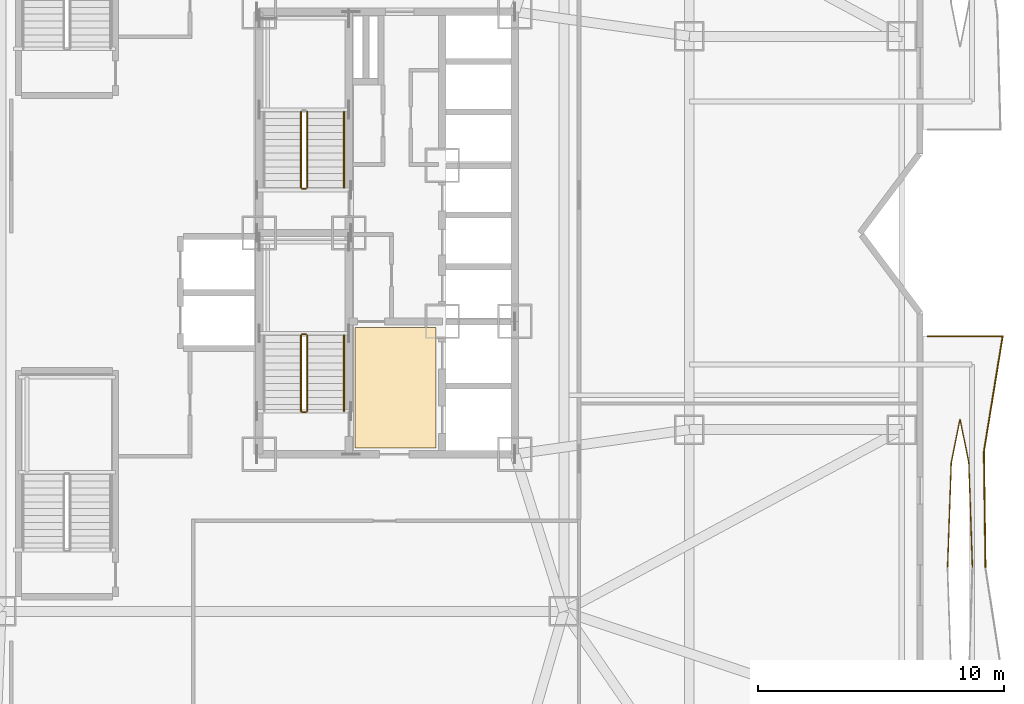
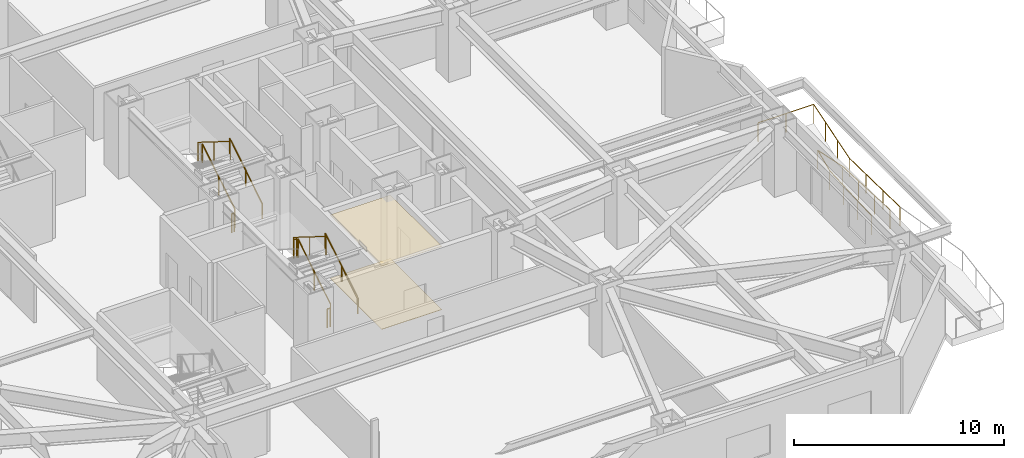
# One storey, part 22 of 25: 11 railings, 2 coverings.
"""IFC4 building model written with IfcOpenShell, lengths in metres."""

from ifc_helpers import new_model, si_unit, direction, frame, origin, origin_2d, place, context, subcontext, project, spatial, polyline, circle, outline, extrude, material, layer, layer_set, type_object, element, save


model = new_model("IFC4")

# Units and contexts
model_context = context("Model", 3, precision=1e-05, world=origin(), true_north=direction((0.0, 1.0)))
body_context = subcontext(model_context, "Body", "Model", "MODEL_VIEW")
ifc_project = project(units=[si_unit("LENGTHUNIT", "METRE"), si_unit("AREAUNIT", "SQUARE_METRE"), si_unit("VOLUMEUNIT", "CUBIC_METRE"), si_unit("PLANEANGLEUNIT", "RADIAN"), si_unit("MASSUNIT", "GRAM", prefix="KILO")], contexts=[model_context])

# Site, building, storey
site_placement = place(None, origin())
site = spatial("IfcSite", under=ifc_project, at=site_placement, CompositionType="ELEMENT")
building_placement = place(site_placement, origin())
building = spatial("IfcBuilding", under=site, at=building_placement, Name="Khamvora Tower", CompositionType="ELEMENT")
storey_placement = place(building_placement, frame((0.0, 0.0, 24.60009765625)))
storey = spatial("IfcBuildingStorey", under=building, at=storey_placement, Name="L05", CompositionType="ELEMENT", Elevation=24.60009765625)

# Coverings
ifc_material_1 = material(Name="Perforated Mineral-Fibre Acoustic Ceiling Tile", Category="gypsum")
ifc_layer_1 = layer(ifc_material_1, 0.02490234375)
ifc_layer_set_1 = layer_set([ifc_layer_1], Name="Perforated Mineral-Fibre Acoustic Ceiling Tile")
covering_type_1 = type_object("IfcCoveringType", Name="COV-CEIL-600", PredefinedType="CEILING", material=ifc_layer_set_1)
covering_1_placement = place(storey_placement, frame((0.0, 0.0, 3.669921875)))
element("IfcCovering", 1, at=covering_1_placement, inside=storey, type_object=covering_type_1, Name="L05 core lobby suspended acoustic ceiling", PredefinedType="CEILING", context=body_context, shape_type="SweptSolid", body=[
    extrude(outline(polyline([(32.89990234375, 19.25), (36.199951171875, 19.25), (36.199951171875, 24.14990234375), (32.89990234375, 24.14990234375), (32.89990234375, 19.25)])), origin(), (0.0, 0.0, 1.0), 0.02490234375),
])
ifc_material_2 = material(Name="Honed Terrazzo Stone Tile", Category="masonry")
ifc_layer_2 = layer(ifc_material_2, 0.02001953125)
ifc_layer_set_2 = layer_set([ifc_layer_2], Name="Honed Terrazzo Stone Tile")
covering_type_2 = type_object("IfcCoveringType", Name="COV-FLOR-20", PredefinedType="FLOORING", material=ifc_layer_set_2)
covering_2_placement = place(storey_placement, origin())
element("IfcCovering", 2, at=covering_2_placement, inside=storey, type_object=covering_type_2, Name="L05 lift lobby terrazzo flooring", PredefinedType="FLOORING", context=body_context, shape_type="SweptSolid", body=[
    extrude(outline(polyline([(32.89990234375, 19.25), (36.199951171875, 19.25), (36.199951171875, 24.14990234375), (32.89990234375, 24.14990234375), (32.89990234375, 19.25)])), origin(), (0.0, 0.0, 1.0), 0.02001953125),
])

# Railings
ifc_material_3 = material(Name="Stainless Steel 316 and Laminated Glass", Category="steel")
railing_type_1 = type_object("IfcRailingType", Name="RAL-GAL-1120", PredefinedType="GUARDRAIL", material=ifc_material_3)
railing_1_placement = place(storey_placement, frame((58.552001953125, 14.39990234375, 0.0)))
element("IfcRailing", 3, at=railing_1_placement, inside=storey, type_object=railing_type_1, Name="L05 lens gallery north perimeter guardrail EL1", PredefinedType="GUARDRAIL", context=body_context, shape_type="SweptSolid", body=[
    extrude(circle(Radius=0.02392578125, at=origin_2d()), frame((0.0, 0.0, 1.09619140625), z_axis=(-0.013815427675, 0.999904562425, 0.0), x_axis=(-0.999904562425, -0.013815427675, 0.0)), (0.0, 0.0, 1.0), 4.70068359375),
    extrude(circle(Radius=0.02392578125, at=origin_2d()), frame((-0.06494140625, 4.7001953125, 1.09619140625), z_axis=(0.160231839887, 0.987079407893, 0.0), x_axis=(-0.987079407893, 0.160231839887, 0.0)), (0.0, 0.0, 1.0), 4.761474609375),
    extrude(circle(Radius=0.02392578125, at=origin_2d()), frame((0.697998046875, 9.400146484375, 1.09619140625), z_axis=(-1.0, 0.0, 0.0), x_axis=(0.0, -1.0, 0.0)), (0.0, 0.0, 1.0), 3.050048828125),
    extrude(circle(Radius=0.02099609375, at=origin_2d()), origin(), (0.0, 0.0, 1.0), 1.072021484375),
    extrude(circle(Radius=0.02099609375, at=origin_2d()), frame((-0.021728515625, 1.566650390625, 0.0)), (0.0, 0.0, 1.0), 1.072021484375),
    extrude(circle(Radius=0.02099609375, at=origin_2d()), frame((-0.043212890625, 3.133544921875, 0.0)), (0.0, 0.0, 1.0), 1.072021484375),
    extrude(circle(Radius=0.02099609375, at=origin_2d()), frame((-0.06494140625, 4.7001953125, 0.0)), (0.0, 0.0, 1.0), 1.072021484375),
    extrude(circle(Radius=0.02099609375, at=origin_2d()), frame((0.189453125, 6.266845703125, 0.0)), (0.0, 0.0, 1.0), 1.072021484375),
    extrude(circle(Radius=0.02099609375, at=origin_2d()), frame((0.443603515625, 7.83349609375, 0.0)), (0.0, 0.0, 1.0), 1.072021484375),
    extrude(circle(Radius=0.02099609375, at=origin_2d()), frame((0.697998046875, 9.400146484375, 0.0)), (0.0, 0.0, 1.0), 1.072021484375),
    extrude(circle(Radius=0.02099609375, at=origin_2d()), frame((-0.8271484375, 9.400146484375, 0.0)), (0.0, 0.0, 1.0), 1.072021484375),
    extrude(circle(Radius=0.02099609375, at=origin_2d()), frame((-2.35205078125, 9.400146484375, 0.0)), (0.0, 0.0, 1.0), 1.072021484375),
])
railing_2_placement = place(storey_placement, frame((58.01904296875, 14.39990234375, 0.0)))
element("IfcRailing", 4, at=railing_2_placement, inside=storey, type_object=railing_type_1, Name="L05 lens gallery void guardrail EL1A", PredefinedType="GUARDRAIL", context=body_context, shape_type="SweptSolid", body=[
    extrude(circle(Radius=0.02392578125, at=origin_2d()), frame((0.0, 0.0, 1.09619140625), z_axis=(-0.034756605959, 0.999395806646, 0.0), x_axis=(-0.999395806646, -0.034756605959, 0.0)), (0.0, 0.0, 1.0), 4.2568359375),
    extrude(circle(Radius=0.02392578125, at=origin_2d()), frame((-0.14794921875, 4.254150390625, 1.09619140625), z_axis=(-0.198152924969, 0.98017111686, 0.0), x_axis=(-0.98017111686, -0.198152924969, 0.0)), (0.0, 0.0, 1.0), 1.797607421875),
    extrude(circle(Radius=0.02392578125, at=origin_2d()), frame((-0.504150390625, 6.01611328125, 1.09619140625), z_axis=(-0.198022438185, -0.980197487232, 0.0), x_axis=(0.980197487232, -0.198022438185, 0.0)), (0.0, 0.0, 1.0), 1.797607421875),
    extrude(circle(Radius=0.02392578125, at=origin_2d()), frame((-0.860107421875, 4.254150390625, 1.09619140625), z_axis=(-0.034756605959, -0.999395806646, 0.0), x_axis=(0.999395806646, -0.034756605959, 0.0)), (0.0, 0.0, 1.0), 4.2568359375),
    extrude(circle(Radius=0.02099609375, at=origin_2d()), origin(), (0.0, 0.0, 1.0), 1.072021484375),
    extrude(circle(Radius=0.02099609375, at=origin_2d()), frame((-0.04931640625, 1.41796875, 0.0)), (0.0, 0.0, 1.0), 1.072021484375),
    extrude(circle(Radius=0.02099609375, at=origin_2d()), frame((-0.0986328125, 2.836181640625, 0.0)), (0.0, 0.0, 1.0), 1.072021484375),
    extrude(circle(Radius=0.02099609375, at=origin_2d()), frame((-0.14794921875, 4.254150390625, 0.0)), (0.0, 0.0, 1.0), 1.072021484375),
    extrude(circle(Radius=0.02099609375, at=origin_2d()), frame((-0.504150390625, 6.01611328125, 0.0)), (0.0, 0.0, 1.0), 1.072021484375),
    extrude(circle(Radius=0.02099609375, at=origin_2d()), frame((-0.860107421875, 4.254150390625, 0.0)), (0.0, 0.0, 1.0), 1.072021484375),
    extrude(circle(Radius=0.02099609375, at=origin_2d()), frame((-0.909423828125, 2.836181640625, 0.0)), (0.0, 0.0, 1.0), 1.072021484375),
    extrude(circle(Radius=0.02099609375, at=origin_2d()), frame((-0.958740234375, 1.41796875, 0.0)), (0.0, 0.0, 1.0), 1.072021484375),
    extrude(circle(Radius=0.02099609375, at=origin_2d()), frame((-1.008056640625, 0.0, 0.0)), (0.0, 0.0, 1.0), 1.072021484375),
])
ifc_material_4 = material(Name="Brushed Stainless Steel 316", Category="steel")
railing_type_2 = type_object("IfcRailingType", Name="RAL-HDR-920", PredefinedType="HANDRAIL", material=ifc_material_4)
railing_3_placement = place(storey_placement, frame((32.449951171875, 20.75, 0.1748046875)))
element("IfcRailing", 5, at=railing_3_placement, inside=storey, type_object=railing_type_2, Name="L05 ST-01 stair handrail 1", PredefinedType="HANDRAIL", context=body_context, shape_type="SweptSolid", body=[
    extrude(circle(Radius=0.02392578125, at=origin_2d()), frame((0.0, 0.0, 0.8759765625), z_axis=(0.0, 0.847998304005, 0.529998940003), x_axis=(-1.0, 0.0, 0.0)), (0.0, 0.0, 1.0), 3.632080078125),
    extrude(circle(Radius=0.02099609375, at=origin_2d()), origin(), (0.0, 0.0, 1.0), 0.851806640625),
    extrude(circle(Radius=0.02099609375, at=origin_2d()), frame((0.0, 1.5400390625, 0.96240234375)), (0.0, 0.0, 1.0), 0.851806640625),
    extrude(circle(Radius=0.02099609375, at=origin_2d()), frame((0.0, 3.080078125, 1.925048828125)), (0.0, 0.0, 1.0), 0.851806640625),
])
railing_4_placement = place(storey_placement, frame((32.449951171875, 29.85009765625, 0.1748046875)))
element("IfcRailing", 6, at=railing_4_placement, inside=storey, type_object=railing_type_2, Name="L05 ST-02 stair handrail 1", PredefinedType="HANDRAIL", context=body_context, shape_type="SweptSolid", body=[
    extrude(circle(Radius=0.02392578125, at=origin_2d()), frame((0.0, 0.0, 0.8759765625), z_axis=(0.0, 0.847979421464, 0.530029150871), x_axis=(-1.0, 0.0, 0.0)), (0.0, 0.0, 1.0), 3.632080078125),
    extrude(circle(Radius=0.02099609375, at=origin_2d()), origin(), (0.0, 0.0, 1.0), 0.851806640625),
    extrude(circle(Radius=0.02099609375, at=origin_2d()), frame((0.0, 1.5400390625, 0.96240234375)), (0.0, 0.0, 1.0), 0.851806640625),
    extrude(circle(Radius=0.02099609375, at=origin_2d()), frame((0.0, 3.079833984375, 1.925048828125)), (0.0, 0.0, 1.0), 0.851806640625),
])
ifc_material_5 = material(Name="Stainless Steel 316", Category="steel")
railing_type_3 = type_object("IfcRailingType", Name="RAL-STG-1100", PredefinedType="GUARDRAIL", material=ifc_material_5)
railing_5_placement = place(storey_placement, frame((30.949951171875, 20.75, 0.1748046875)))
element("IfcRailing", 7, at=railing_5_placement, inside=storey, type_object=railing_type_3, Name="L05 ST-01 stair guard 1", PredefinedType="GUARDRAIL", context=body_context, shape_type="SweptSolid", body=[
    extrude(circle(Radius=0.02392578125, at=origin_2d()), frame((0.0, 0.0, 1.076171875), z_axis=(0.0, 0.847998304005, 0.529998940003), x_axis=(-1.0, 0.0, 0.0)), (0.0, 0.0, 1.0), 3.632080078125),
    extrude(circle(Radius=0.02099609375, at=origin_2d()), origin(), (0.0, 0.0, 1.0), 1.052001953125),
    extrude(circle(Radius=0.02099609375, at=origin_2d()), frame((0.0, 1.5400390625, 0.96240234375)), (0.0, 0.0, 1.0), 1.052001953125),
    extrude(circle(Radius=0.02099609375, at=origin_2d()), frame((0.0, 3.080078125, 1.925048828125)), (0.0, 0.0, 1.0), 1.052001953125),
])
railing_6_placement = place(storey_placement, frame((30.89990234375, 23.8798828125, 2.099853515625)))
element("IfcRailing", 8, at=railing_6_placement, inside=storey, type_object=railing_type_3, Name="L05 ST-01 stair guard 2", PredefinedType="GUARDRAIL", context=body_context, shape_type="SweptSolid", body=[
    extrude(circle(Radius=0.02392578125, at=origin_2d()), frame((0.0, 0.0, 1.076171875), z_axis=(-1.0, 0.0, 0.0), x_axis=(0.0, -1.0, 0.0)), (0.0, 0.0, 1.0), 0.14990234375),
    extrude(circle(Radius=0.02099609375, at=origin_2d()), origin(), (0.0, 0.0, 1.0), 1.052001953125),
    extrude(circle(Radius=0.02099609375, at=origin_2d()), frame((-0.14990234375, 0.0, 0.0)), (0.0, 0.0, 1.0), 1.052001953125),
])
railing_7_placement = place(storey_placement, frame((30.699951171875, 23.830078125, 2.27490234375)))
element("IfcRailing", 9, at=railing_7_placement, inside=storey, type_object=railing_type_3, Name="L05 ST-01 stair guard 3", PredefinedType="GUARDRAIL", context=body_context, shape_type="SweptSolid", body=[
    extrude(circle(Radius=0.02392578125, at=origin_2d()), frame((0.0, 0.0, 1.076171875), z_axis=(0.0, -0.847998304005, 0.529998940003), x_axis=(1.0, 0.0, 0.0)), (0.0, 0.0, 1.0), 3.632080078125),
    extrude(circle(Radius=0.02099609375, at=origin_2d()), origin(), (0.0, 0.0, 1.0), 1.052001953125),
    extrude(circle(Radius=0.02099609375, at=origin_2d()), frame((0.0, -1.5400390625, 0.96240234375)), (0.0, 0.0, 1.0), 1.052001953125),
    extrude(circle(Radius=0.02099609375, at=origin_2d()), frame((0.0, -3.080078125, 1.925048828125)), (0.0, 0.0, 1.0), 1.052001953125),
])
railing_8_placement = place(storey_placement, frame((30.89990234375, 20.699951171875, 0.0)))
element("IfcRailing", 10, at=railing_8_placement, inside=storey, type_object=railing_type_3, Name="L05 ST-01 stair guard 4", PredefinedType="GUARDRAIL", context=body_context, shape_type="SweptSolid", body=[
    extrude(circle(Radius=0.02392578125, at=origin_2d()), frame((0.0, 0.0, 1.076171875), z_axis=(-1.0, 0.0, 0.0), x_axis=(0.0, -1.0, 0.0)), (0.0, 0.0, 1.0), 0.14990234375),
    extrude(circle(Radius=0.02099609375, at=origin_2d()), origin(), (0.0, 0.0, 1.0), 1.052001953125),
    extrude(circle(Radius=0.02099609375, at=origin_2d()), frame((-0.14990234375, 0.0, 0.0)), (0.0, 0.0, 1.0), 1.052001953125),
])
railing_9_placement = place(storey_placement, frame((30.949951171875, 29.85009765625, 0.1748046875)))
element("IfcRailing", 11, at=railing_9_placement, inside=storey, type_object=railing_type_3, Name="L05 ST-02 stair guard 1", PredefinedType="GUARDRAIL", context=body_context, shape_type="SweptSolid", body=[
    extrude(circle(Radius=0.02392578125, at=origin_2d()), frame((0.0, 0.0, 1.076171875), z_axis=(0.0, 0.847979421464, 0.530029150871), x_axis=(-1.0, 0.0, 0.0)), (0.0, 0.0, 1.0), 3.632080078125),
    extrude(circle(Radius=0.02099609375, at=origin_2d()), origin(), (0.0, 0.0, 1.0), 1.052001953125),
    extrude(circle(Radius=0.02099609375, at=origin_2d()), frame((0.0, 1.5400390625, 0.96240234375)), (0.0, 0.0, 1.0), 1.052001953125),
    extrude(circle(Radius=0.02099609375, at=origin_2d()), frame((0.0, 3.079833984375, 1.925048828125)), (0.0, 0.0, 1.0), 1.052001953125),
])
railing_10_placement = place(storey_placement, frame((30.699951171875, 32.929931640625, 2.27490234375)))
element("IfcRailing", 12, at=railing_10_placement, inside=storey, type_object=railing_type_3, Name="L05 ST-02 stair guard 3", PredefinedType="GUARDRAIL", context=body_context, shape_type="SweptSolid", body=[
    extrude(circle(Radius=0.02392578125, at=origin_2d()), frame((0.0, 0.0, 1.076171875), z_axis=(0.0, -0.847979421464, 0.530029150871), x_axis=(1.0, 0.0, 0.0)), (0.0, 0.0, 1.0), 3.632080078125),
    extrude(circle(Radius=0.02099609375, at=origin_2d()), origin(), (0.0, 0.0, 1.0), 1.052001953125),
    extrude(circle(Radius=0.02099609375, at=origin_2d()), frame((0.0, -1.5400390625, 0.96240234375)), (0.0, 0.0, 1.0), 1.052001953125),
    extrude(circle(Radius=0.02099609375, at=origin_2d()), frame((0.0, -3.079833984375, 1.925048828125)), (0.0, 0.0, 1.0), 1.052001953125),
])
railing_11_placement = place(storey_placement, frame((30.89990234375, 29.800048828125, 0.0)))
element("IfcRailing", 13, at=railing_11_placement, inside=storey, type_object=railing_type_3, Name="L05 ST-02 stair guard 4", PredefinedType="GUARDRAIL", context=body_context, shape_type="SweptSolid", body=[
    extrude(circle(Radius=0.02392578125, at=origin_2d()), frame((0.0, 0.0, 1.076171875), z_axis=(-1.0, 0.0, 0.0), x_axis=(0.0, -1.0, 0.0)), (0.0, 0.0, 1.0), 0.14990234375),
    extrude(circle(Radius=0.02099609375, at=origin_2d()), origin(), (0.0, 0.0, 1.0), 1.052001953125),
    extrude(circle(Radius=0.02099609375, at=origin_2d()), frame((-0.14990234375, 0.0, 0.0)), (0.0, 0.0, 1.0), 1.052001953125),
])

save(model, "model.ifc")
